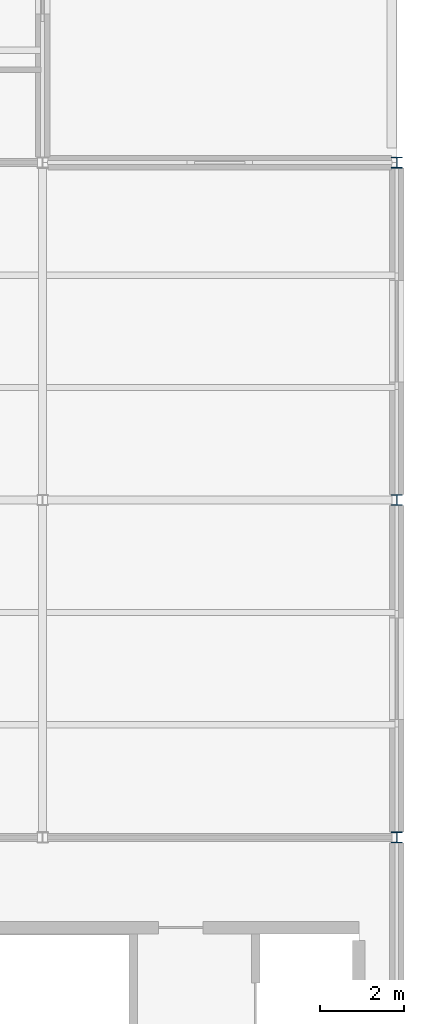
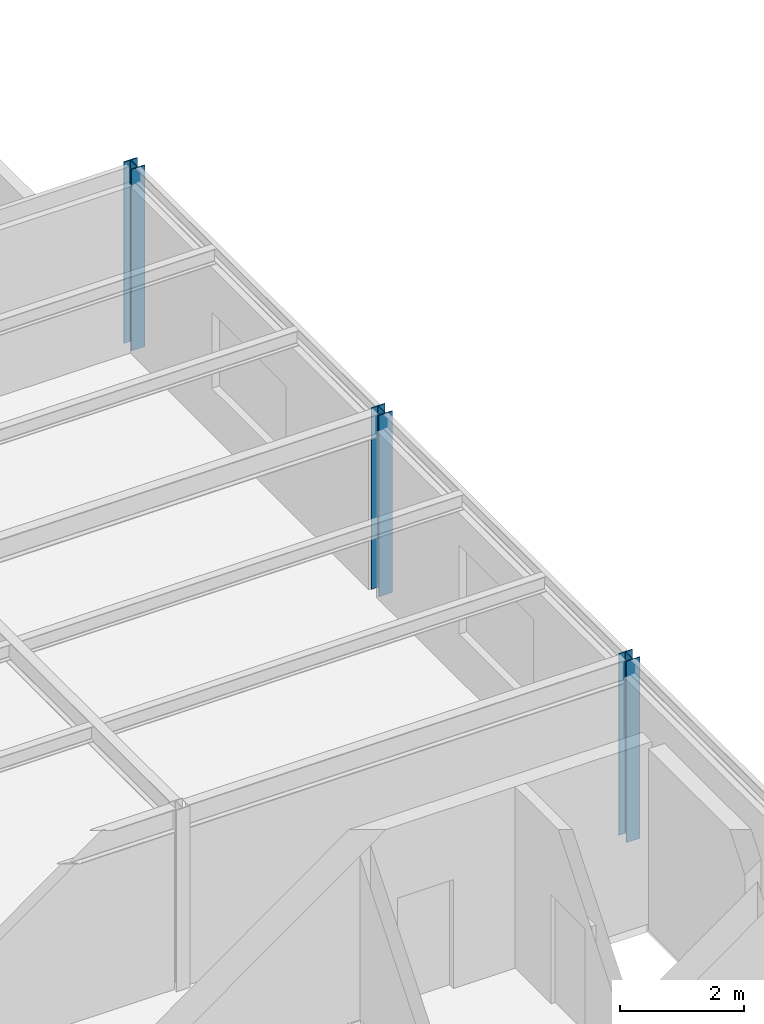
# One storey, part 9 of 53: 3 columns.
"""IFC4 building model written with IfcOpenShell, lengths in metres."""

import ifcopenshell
import ifcopenshell.guid

model = None  # the IFC model being written
_history = None  # IfcOwnerHistory: only IFC2X3 demands one
_inside = {}  # id of a spatial element -> (the spatial element, [elements in it])
_under = {}  # id of a project, library or spatial element -> (it, [spatial elements below it])
_declared = {}  # id of a project -> (the project, [libraries it declares])
_typed = {}  # id of a type object -> (the type object, [elements of that type])
_made_of = {}  # id of a material, layer set ... -> (it, [elements and type objects made of it])


def new_model(schema):
    """Start an empty IFC model of exactly this schema.

    Asked for "IFC4X3", IfcOpenShell would pick the latest addendum, in which some entities
    have other attributes; the version numbers below select the first issue.
    IFC2X3 requires an IfcOwnerHistory on every rooted entity: one is made here for all.
    """
    global model, _history
    if schema == "IFC4X3":
        model = ifcopenshell.file(schema_version=(4, 3, 0, 0))
    else:
        model = ifcopenshell.file(schema=schema)
    _inside.clear()
    _under.clear()
    _declared.clear()
    _typed.clear()
    _made_of.clear()
    _history = None
    if model.schema == "IFC2X3":
        org = make("IfcOrganization", Name="unknown")
        user = make(
            "IfcPersonAndOrganization",
            ThePerson=make("IfcPerson", FamilyName="unknown"),
            TheOrganization=org,
        )
        app = make(
            "IfcApplication",
            ApplicationDeveloper=org,
            Version="unknown",
            ApplicationFullName="unknown",
            ApplicationIdentifier="unknown",
        )
        _history = make(
            "IfcOwnerHistory",
            OwningUser=user,
            OwningApplication=app,
            ChangeAction="ADDED",
            CreationDate=0,
        )
    return model


def make(cls, **values):
    """One entity of the class cls with the attributes given. An attribute that is None is left unset."""
    return model.create_entity(
        cls, **{name: value for name, value in values.items() if value is not None}
    )


def rooted(cls, **values):
    """An entity with a GlobalId (a new one), such as an element, a storey or a relation."""
    return make(cls, GlobalId=ifcopenshell.guid.new(), OwnerHistory=_history, **values)


def si_unit(unit_type, name, prefix=None):
    """IfcSIUnit, for example si_unit("LENGTHUNIT", "METRE", prefix="MILLI")."""
    return make("IfcSIUnit", UnitType=unit_type, Prefix=prefix, Name=name)


def assignment(units):
    """IfcUnitAssignment: the units of a project."""
    return None if units is None else make("IfcUnitAssignment", Units=units)


def point(xyz):
    """IfcCartesianPoint."""
    return None if xyz is None else make("IfcCartesianPoint", Coordinates=xyz)


def direction(xyz):
    """IfcDirection."""
    return None if xyz is None else make("IfcDirection", DirectionRatios=xyz)


def frame(location, z_axis=None, x_axis=None):
    """IfcAxis2Placement3D, a coordinate frame: its origin and axes. An axis left out is left unset."""
    return make(
        "IfcAxis2Placement3D",
        Location=point(location),
        Axis=direction(z_axis),
        RefDirection=direction(x_axis),
    )


def frame_2d(location, x_axis=None):
    """IfcAxis2Placement2D, a coordinate frame in the plane: its origin and x axis."""
    return make(
        "IfcAxis2Placement2D", Location=point(location), RefDirection=direction(x_axis)
    )


def origin():
    """The frame at (0, 0, 0) with its axes left unset."""
    return frame((0.0, 0.0, 0.0))


def origin_2d():
    """The frame at (0, 0) in the plane with its x axis left unset."""
    return frame_2d((0.0, 0.0))


def place(relative_to, where):
    """IfcLocalPlacement: puts the frame where relative to a parent placement (None: the world)."""
    return make(
        "IfcLocalPlacement", PlacementRelTo=relative_to, RelativePlacement=where
    )


def context(
    kind, dimensions, precision=None, world=None, true_north=None, identifier=None
):
    """IfcGeometricRepresentationContext, for example the 3D "Model" context."""
    return make(
        "IfcGeometricRepresentationContext",
        ContextIdentifier=identifier,
        ContextType=kind,
        CoordinateSpaceDimension=dimensions,
        Precision=precision,
        WorldCoordinateSystem=world,
        TrueNorth=true_north,
    )


def subcontext(parent, identifier, kind, view, scale=None):
    """IfcGeometricRepresentationSubContext, for example "Body" below "Model"."""
    return make(
        "IfcGeometricRepresentationSubContext",
        ContextIdentifier=identifier,
        ContextType=kind,
        ParentContext=parent,
        TargetScale=scale,
        TargetView=view,
    )


def project(units=None, contexts=None):
    """IfcProject with its units and contexts."""
    return rooted(
        "IfcProject",
        Name="project",
        RepresentationContexts=contexts,
        UnitsInContext=assignment(units),
    )


def spatial(cls, under=None, at=None, **own):
    """A site, building, storey or space (cls), placed at a placement, below another one or the project."""
    s = rooted(cls, ObjectPlacement=at, **own)
    if under is not None:
        _under.setdefault(under.id(), (under, []))[1].append(s)
    return s


def profile(cls, at=None, kind="AREA", **sizes):
    """A parametric profile (cls). Its sizes go by their IFC names, for example OverallWidth=200.0."""
    return make(cls, ProfileType=kind, Position=at, **sizes)


def i_section(**sizes):
    """IfcIShapeProfileDef."""
    return profile("IfcIShapeProfileDef", **sizes)


def extrude(swept, where, along, depth):
    """IfcExtrudedAreaSolid: the profile swept, set in the frame where, extruded along a direction by depth."""
    return make(
        "IfcExtrudedAreaSolid",
        SweptArea=swept,
        Position=where,
        ExtrudedDirection=direction(along),
        Depth=depth,
    )


def shape(context_of_items, identifier, shape_type, items):
    """IfcShapeRepresentation: the items that make up one representation, for example the "Body"."""
    return make(
        "IfcShapeRepresentation",
        ContextOfItems=context_of_items,
        RepresentationIdentifier=identifier,
        RepresentationType=shape_type,
        Items=items,
    )


def material(Name=None, Category=None):
    """IfcMaterial."""
    return make("IfcMaterial", Name=Name, Category=Category)


def material_profile(
    of_material, cross_section, Name=None, Category=None, Priority=None
):
    """IfcMaterialProfile: a cross section and its material."""
    return make(
        "IfcMaterialProfile",
        Name=Name,
        Material=of_material,
        Profile=cross_section,
        Priority=Priority,
        Category=Category,
    )


def profile_set(profiles, Name=None, composite=None):
    """IfcMaterialProfileSet."""
    return make(
        "IfcMaterialProfileSet",
        Name=Name,
        MaterialProfiles=profiles,
        CompositeProfile=composite,
    )


def made_of(thing, what):
    """Note that an element or type object is made of a material, layer set ...; save() writes the relation."""
    if what is not None:
        _made_of.setdefault(what.id(), (what, []))[1].append(thing)
    return thing


def type_object(cls, material=None, **own):
    """A type object (cls), such as IfcWallType, which elements share."""
    return made_of(rooted(cls, **own), material)


def element(
    cls,
    number,
    at=None,
    inside=None,
    cuts=None,
    type_object=None,
    material=None,
    context=None,
    identifier="Body",
    shape_type=None,
    held_by="IfcProductDefinitionShape",
    body=None,
    shapes=None,
    **own,
):
    """One element of the class cls, such as IfcWall. Its Tag is "e" and its number.

    at: its placement. inside: the storey or other place that contains it. cuts: it is an
    opening in that element (IfcRelVoidsElement). A single representation is given by context,
    identifier, shape_type and body (its items); several are given by shapes. held_by: the class
    of the entity that holds the representations. save() writes the other relations.
    """
    e = rooted(cls, Tag="e%d" % number, ObjectPlacement=at, **own)
    if body is not None:
        shapes = [shape(context, identifier, shape_type, body)]
    if shapes is not None:
        e.Representation = make(held_by, Representations=shapes)
    if inside is not None:
        _inside.setdefault(inside.id(), (inside, []))[1].append(e)
    if cuts is not None:
        rooted(
            "IfcRelVoidsElement", RelatingBuildingElement=cuts, RelatedOpeningElement=e
        )
    if type_object is not None:
        _typed.setdefault(type_object.id(), (type_object, []))[1].append(e)
    return made_of(e, material)


def aggregate(whole, parts):
    """IfcRelAggregates: a whole, such as a stair, and the parts it consists of."""
    return rooted("IfcRelAggregates", RelatingObject=whole, RelatedObjects=parts)


def save(model, path):
    """Write the relations noted so far, then the file.

    IfcRelAggregates (storeys below a building ...), IfcRelContainedInSpatialStructure (elements
    in a storey), IfcRelDefinesByType, IfcRelAssociatesMaterial and IfcRelDeclares: one each for
    every whole, place, type object, material and project.
    """
    for whole, parts in _under.values():
        aggregate(whole, parts)
    for where, things in _inside.values():
        rooted(
            "IfcRelContainedInSpatialStructure",
            RelatedElements=things,
            RelatingStructure=where,
        )
    for kind, things in _typed.values():
        rooted("IfcRelDefinesByType", RelatedObjects=things, RelatingType=kind)
    for what, things in _made_of.values():
        rooted("IfcRelAssociatesMaterial", RelatedObjects=things, RelatingMaterial=what)
    for by, libraries in _declared.values():
        rooted("IfcRelDeclares", RelatingContext=by, RelatedDefinitions=libraries)
    model.write(path)


model = new_model("IFC4")

# Units and contexts
model_context = context("Model", 3, precision=1e-05, world=origin(), true_north=direction((0.0, 1.0)))
body_context = subcontext(model_context, "Body", "Model", "MODEL_VIEW")
ifc_project = project(units=[si_unit("LENGTHUNIT", "METRE"), si_unit("AREAUNIT", "SQUARE_METRE"), si_unit("VOLUMEUNIT", "CUBIC_METRE"), si_unit("PLANEANGLEUNIT", "RADIAN"), si_unit("MASSUNIT", "GRAM", prefix="KILO")], contexts=[model_context])

# Site, building, storey
site_placement = place(None, origin())
site = spatial("IfcSite", under=ifc_project, at=site_placement, CompositionType="ELEMENT")
building_placement = place(site_placement, origin())
building = spatial("IfcBuilding", under=site, at=building_placement, Name="Kranzveld Transit Interchange", CompositionType="ELEMENT")
storey_placement = place(building_placement, frame((0.0, 0.0, 13.360107421875)))
storey = spatial("IfcBuildingStorey", under=building, at=storey_placement, Name="L03", CompositionType="ELEMENT", Elevation=13.360107421875)

# Columns
ifc_material = material(Name="Steel S355JR", Category="steel")
ifc_material_profile = material_profile(ifc_material, i_section(OverallWidth=0.25634765625, OverallDepth=0.26025390625, WebThickness=0.01025390625, FlangeThickness=0.017333984375, FilletRadius=0.0126953125, at=origin_2d()), Name="UC 254x254x89")
ifc_profile_set = profile_set([ifc_material_profile], Name="Steel S355JR")
column_type = type_object("IfcColumnType", Name="Column Steel UC 254x254x89 S355JR", PredefinedType="COLUMN", material=ifc_profile_set)
for number, where, z_axis, x_axis, name in (
    (1, (168.0, 80.0, 0.0), (0.0, 0.0, 1.0), (1.0, 0.0, 0.0), "L03 Column 21/L"),
    (2, (168.0, 88.0, 0.0), (0.0, 0.0, 1.0), (1.0, 0.0, 0.0), "L03 Column 21/M"),
    (3, (168.0, 96.0, 0.0), (0.0, 0.0, 1.0), (1.0, 0.0, 0.0), "L03 Column 21/N"),
):
    element("IfcColumn", number, at=place(storey_placement, frame(where, z_axis=z_axis, x_axis=x_axis)), inside=storey, type_object=column_type, Name=name, PredefinedType="COLUMN", context=body_context, shape_type="SweptSolid", body=[
        extrude(i_section(OverallWidth=0.25634765625, OverallDepth=0.26025390625, WebThickness=0.01025390625, FlangeThickness=0.017333984375, FilletRadius=0.0126953125, at=origin_2d()), origin(), (0.0, 0.0, 1.0), 3.579833984375),
    ])

save(model, "model.ifc")
